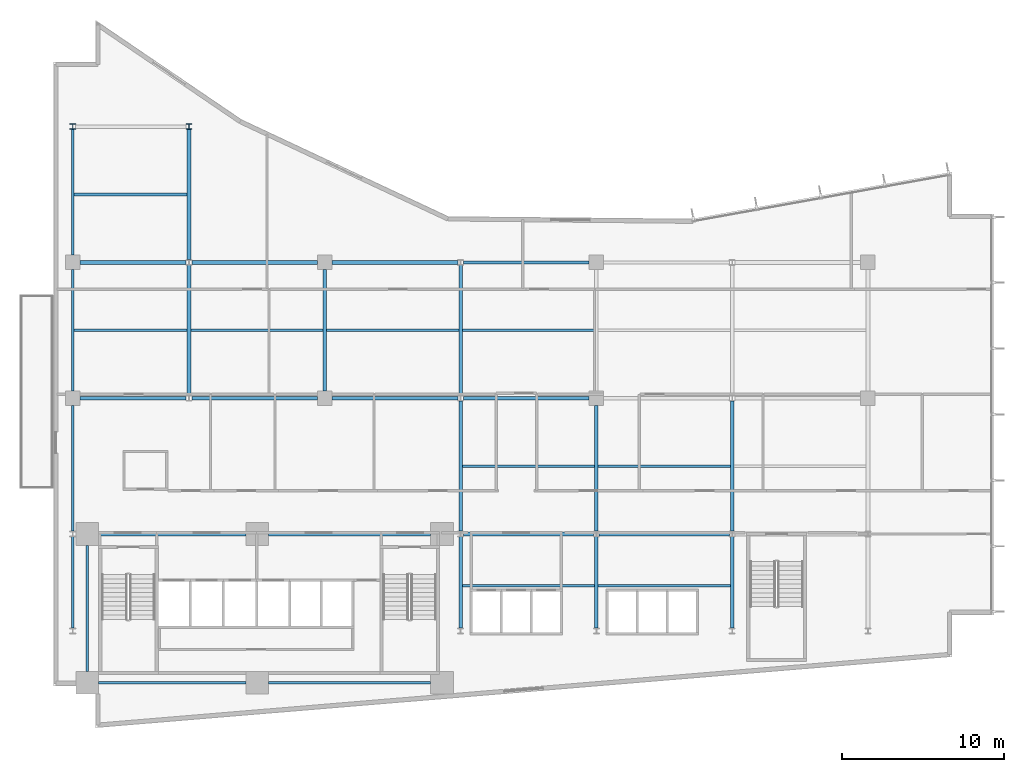
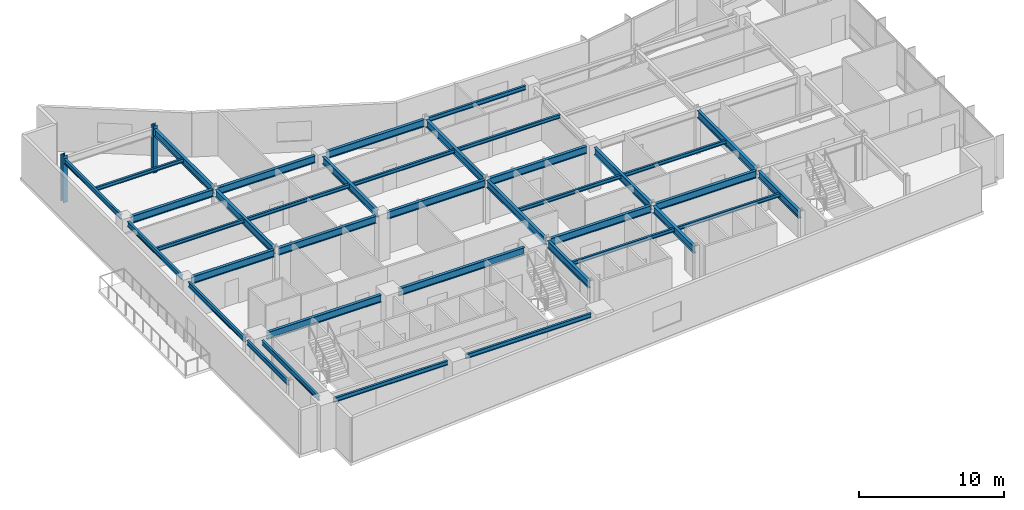
# One storey, part 3 of 20: 38 beams, 2 columns.
"""IFC4 building model written with IfcOpenShell, lengths in metres."""

from ifc_helpers import new_model, si_unit, direction, frame, origin, origin_2d, place, context, subcontext, project, spatial, i_section, extrude, material, material_profile, profile_set, type_object, element, save


model = new_model("IFC4")

# Units and contexts
model_context = context("Model", 3, precision=1e-05, world=origin(), true_north=direction((0.0, 1.0)))
body_context = subcontext(model_context, "Body", "Model", "MODEL_VIEW")
ifc_project = project(units=[si_unit("LENGTHUNIT", "METRE"), si_unit("AREAUNIT", "SQUARE_METRE"), si_unit("VOLUMEUNIT", "CUBIC_METRE"), si_unit("PLANEANGLEUNIT", "RADIAN"), si_unit("MASSUNIT", "GRAM", prefix="KILO")], contexts=[model_context])

# Site, building, storey
site_placement = place(None, origin())
site = spatial("IfcSite", under=ifc_project, at=site_placement, CompositionType="ELEMENT")
building_placement = place(site_placement, origin())
building = spatial("IfcBuilding", under=site, at=building_placement, Name="Varnakote Quay Hospital", CompositionType="ELEMENT")
storey_placement = place(building_placement, frame((0.0, 0.0, 46.199951171875)))
storey = spatial("IfcBuildingStorey", under=building, at=storey_placement, Name="L11", CompositionType="ELEMENT", Elevation=46.199951171875)

# Columns
ifc_material_1 = material(Name="Structural steel AS/NZS 3678 Grade 350 (fy 340 MPa)", Category="steel")
ifc_material_profile_1 = material_profile(ifc_material_1, i_section(OverallWidth=0.35009765625, OverallDepth=0.340087890625, WebThickness=0.01611328125, FlangeThickness=0.028076171875, at=origin_2d()), Name="350WC197")
ifc_profile_set_1 = profile_set([ifc_material_profile_1], Name="Structural steel AS/NZS 3678 Grade 350 (fy 340 MPa)")
column_type = type_object("IfcColumnType", Name="COL-STL-350WC197", PredefinedType="COLUMN", material=ifc_profile_set_1)
for number, where, z_axis, x_axis, name in (
    (1, (1.199951171875, 37.199951171875, 0.0), (0.0, 0.0, 1.0), (1.0, 0.0, 0.0), "L11 Structural Column C-1-37"),
    (2, (8.39990234375, 37.199951171875, 0.0), (0.0, 0.0, 1.0), (1.0, 0.0, 0.0), "L11 Structural Column C-8-37"),
):
    element("IfcColumn", number, at=place(storey_placement, frame(where, z_axis=z_axis, x_axis=x_axis)), inside=storey, type_object=column_type, Name=name, PredefinedType="COLUMN", context=body_context, shape_type="SweptSolid", body=[
        extrude(i_section(OverallWidth=0.35009765625, OverallDepth=0.340087890625, WebThickness=0.01611328125, FlangeThickness=0.028076171875, at=origin_2d()), origin(), (0.0, 0.0, 1.0), 3.949951171875),
    ])

# Beams
ifc_material_2 = material(Name="Structural steel AS/NZS 3679.1 Grade 350 L0 (fy 340 MPa)", Category="steel")
ifc_material_profile_2 = material_profile(ifc_material_2, i_section(OverallWidth=0.22900390625, OverallDepth=0.612060546875, WebThickness=0.011962890625, FlangeThickness=0.01953125, FilletRadius=0.013916015625, at=origin_2d()), Name="610UB125")
ifc_profile_set_2 = profile_set([ifc_material_profile_2], Name="Structural steel AS/NZS 3679.1 Grade 350 L0 (fy 340 MPa)")
beam_type_1 = type_object("IfcBeamType", Name="BM-STL-610UB125", PredefinedType="BEAM", material=ifc_profile_set_2)
beam_1_placement = place(storey_placement, frame((2.800048828125, 12.0, 3.404052734375), z_axis=(1.0, 0.0, 0.0), x_axis=(0.0, 1.0, 0.0)))
element("IfcBeam", 3, at=beam_1_placement, inside=storey, type_object=beam_type_1, Name="L11 Primary Floor Beam", PredefinedType="BEAM", context=body_context, shape_type="SweptSolid", body=[
    extrude(i_section(OverallWidth=0.22900390625, OverallDepth=0.612060546875, WebThickness=0.011962890625, FlangeThickness=0.01953125, FilletRadius=0.013916015625, at=origin_2d()), origin(), (0.0, 0.0, 1.0), 9.119873046875),
])
beam_2_placement = place(storey_placement, frame((13.320068359375, 12.0, 3.404052734375), z_axis=(1.0, 0.0, 0.0), x_axis=(0.0, 1.0, 0.0)))
element("IfcBeam", 4, at=beam_2_placement, inside=storey, type_object=beam_type_1, Name="L11 Primary Floor Beam", PredefinedType="BEAM", context=body_context, shape_type="SweptSolid", body=[
    extrude(i_section(OverallWidth=0.22900390625, OverallDepth=0.612060546875, WebThickness=0.011962890625, FlangeThickness=0.01953125, FilletRadius=0.013916015625, at=origin_2d()), origin(), (0.0, 0.0, 1.0), 10.030029296875),
])
for number, where, z_axis, x_axis, name in (
    (5, (25.375, 12.0, 3.404052734375), (1.0, 0.0, 0.0), (0.0, 1.0, 0.0), "L11 Primary Floor Beam"),
    (6, (33.77490234375, 12.0, 3.404052734375), (1.0, 0.0, 0.0), (0.0, 1.0, 0.0), "L11 Primary Floor Beam"),
):
    element("IfcBeam", number, at=place(storey_placement, frame(where, z_axis=z_axis, x_axis=x_axis)), inside=storey, type_object=beam_type_1, Name=name, PredefinedType="BEAM", context=body_context, shape_type="SweptSolid", body=[
        extrude(i_section(OverallWidth=0.22900390625, OverallDepth=0.612060546875, WebThickness=0.011962890625, FlangeThickness=0.01953125, FilletRadius=0.013916015625, at=origin_2d()), origin(), (0.0, 0.0, 1.0), 8.050048828125),
    ])
beam_3_placement = place(storey_placement, frame((1.64990234375, 20.39990234375, 3.404052734375), z_axis=(1.0, 0.0, 0.0), x_axis=(0.0, 1.0, 0.0)))
element("IfcBeam", 7, at=beam_3_placement, inside=storey, type_object=beam_type_1, Name="L11 Primary Floor Beam", PredefinedType="BEAM", context=body_context, shape_type="SweptSolid", body=[
    extrude(i_section(OverallWidth=0.22900390625, OverallDepth=0.612060546875, WebThickness=0.011962890625, FlangeThickness=0.01953125, FilletRadius=0.013916015625, at=origin_2d()), origin(), (0.0, 0.0, 1.0), 6.5751953125),
])
beam_4_placement = place(storey_placement, frame((8.574951171875, 20.39990234375, 3.404052734375), z_axis=(1.0, 0.0, 0.0), x_axis=(0.0, 1.0, 0.0)))
element("IfcBeam", 8, at=beam_4_placement, inside=storey, type_object=beam_type_1, Name="L11 Primary Floor Beam", PredefinedType="BEAM", context=body_context, shape_type="SweptSolid", body=[
    extrude(i_section(OverallWidth=0.22900390625, OverallDepth=0.612060546875, WebThickness=0.011962890625, FlangeThickness=0.01953125, FilletRadius=0.013916015625, at=origin_2d()), origin(), (0.0, 0.0, 1.0), 7.775146484375),
])
for number, where, z_axis, x_axis, name in (
    (9, (17.25, 20.39990234375, 3.404052734375), (1.0, 0.0, 0.0), (0.0, 1.0, 0.0), "L11 Primary Floor Beam"),
    (10, (25.375, 20.39990234375, 3.404052734375), (1.0, 0.0, 0.0), (0.0, 1.0, 0.0), "L11 Primary Floor Beam"),
):
    element("IfcBeam", number, at=place(storey_placement, frame(where, z_axis=z_axis, x_axis=x_axis)), inside=storey, type_object=beam_type_1, Name=name, PredefinedType="BEAM", context=body_context, shape_type="SweptSolid", body=[
        extrude(i_section(OverallWidth=0.22900390625, OverallDepth=0.612060546875, WebThickness=0.011962890625, FlangeThickness=0.01953125, FilletRadius=0.013916015625, at=origin_2d()), origin(), (0.0, 0.0, 1.0), 7.77490234375),
    ])
beam_5_placement = place(storey_placement, frame((1.64990234375, 28.800048828125, 3.404052734375), z_axis=(1.0, 0.0, 0.0), x_axis=(0.0, 1.0, 0.0)))
element("IfcBeam", 11, at=beam_5_placement, inside=storey, type_object=beam_type_1, Name="L11 Primary Floor Beam", PredefinedType="BEAM", context=body_context, shape_type="SweptSolid", body=[
    extrude(i_section(OverallWidth=0.22900390625, OverallDepth=0.612060546875, WebThickness=0.011962890625, FlangeThickness=0.01953125, FilletRadius=0.013916015625, at=origin_2d()), origin(), (0.0, 0.0, 1.0), 6.5751953125),
])
beam_6_placement = place(storey_placement, frame((8.574951171875, 28.800048828125, 3.404052734375), z_axis=(1.0, 0.0, 0.0), x_axis=(0.0, 1.0, 0.0)))
element("IfcBeam", 12, at=beam_6_placement, inside=storey, type_object=beam_type_1, Name="L11 Primary Floor Beam", PredefinedType="BEAM", context=body_context, shape_type="SweptSolid", body=[
    extrude(i_section(OverallWidth=0.22900390625, OverallDepth=0.612060546875, WebThickness=0.011962890625, FlangeThickness=0.01953125, FilletRadius=0.013916015625, at=origin_2d()), origin(), (0.0, 0.0, 1.0), 7.775146484375),
])
beam_7_placement = place(storey_placement, frame((17.25, 28.800048828125, 3.404052734375), z_axis=(1.0, 0.0, 0.0), x_axis=(0.0, 1.0, 0.0)))
element("IfcBeam", 13, at=beam_7_placement, inside=storey, type_object=beam_type_1, Name="L11 Primary Floor Beam", PredefinedType="BEAM", context=body_context, shape_type="SweptSolid", body=[
    extrude(i_section(OverallWidth=0.22900390625, OverallDepth=0.612060546875, WebThickness=0.011962890625, FlangeThickness=0.01953125, FilletRadius=0.013916015625, at=origin_2d()), origin(), (0.0, 0.0, 1.0), 7.77490234375),
])
beam_8_placement = place(storey_placement, frame((8.39990234375, 20.570068359375, 3.404052734375), z_axis=(0.0, 1.0, 0.0), x_axis=(-1.0, 0.0, 0.0)))
element("IfcBeam", 14, at=beam_8_placement, inside=storey, type_object=beam_type_1, Name="L11 Primary Tie Beam", PredefinedType="BEAM", context=body_context, shape_type="SweptSolid", body=[
    extrude(i_section(OverallWidth=0.22900390625, OverallDepth=0.612060546875, WebThickness=0.011962890625, FlangeThickness=0.01953125, FilletRadius=0.013916015625, at=origin_2d()), origin(), (0.0, 0.0, 1.0), 8.059814453125),
])
beam_9_placement = place(storey_placement, frame((8.39990234375, 28.969970703125, 3.404052734375), z_axis=(0.0, 1.0, 0.0), x_axis=(-1.0, 0.0, 0.0)))
element("IfcBeam", 15, at=beam_9_placement, inside=storey, type_object=beam_type_1, Name="L11 Primary Tie Beam", PredefinedType="BEAM", context=body_context, shape_type="SweptSolid", body=[
    extrude(i_section(OverallWidth=0.22900390625, OverallDepth=0.612060546875, WebThickness=0.011962890625, FlangeThickness=0.01953125, FilletRadius=0.013916015625, at=origin_2d()), origin(), (0.0, 0.0, 1.0), 8.06005859375),
])
beam_10_placement = place(storey_placement, frame((16.800048828125, 20.85009765625, 3.404052734375), z_axis=(0.0, 1.0, 0.0), x_axis=(-1.0, 0.0, 0.0)))
element("IfcBeam", 16, at=beam_10_placement, inside=storey, type_object=beam_type_1, Name="L11 Primary Tie Beam", PredefinedType="BEAM", context=body_context, shape_type="SweptSolid", body=[
    extrude(i_section(OverallWidth=0.22900390625, OverallDepth=0.612060546875, WebThickness=0.011962890625, FlangeThickness=0.01953125, FilletRadius=0.013916015625, at=origin_2d()), origin(), (0.0, 0.0, 1.0), 7.5),
])
beam_11_placement = place(storey_placement, frame((25.199951171875, 6.169921875, 3.404052734375), z_axis=(0.0, 1.0, 0.0), x_axis=(-1.0, 0.0, 0.0)))
element("IfcBeam", 17, at=beam_11_placement, inside=storey, type_object=beam_type_1, Name="L11 Primary Tie Beam", PredefinedType="BEAM", context=body_context, shape_type="SweptSolid", body=[
    extrude(i_section(OverallWidth=0.22900390625, OverallDepth=0.612060546875, WebThickness=0.011962890625, FlangeThickness=0.01953125, FilletRadius=0.013916015625, at=origin_2d()), origin(), (0.0, 0.0, 1.0), 5.66015625),
])
beam_12_placement = place(storey_placement, frame((25.199951171875, 12.169921875, 3.404052734375), z_axis=(0.0, 1.0, 0.0), x_axis=(-1.0, 0.0, 0.0)))
element("IfcBeam", 18, at=beam_12_placement, inside=storey, type_object=beam_type_1, Name="L11 Primary Tie Beam", PredefinedType="BEAM", context=body_context, shape_type="SweptSolid", body=[
    extrude(i_section(OverallWidth=0.22900390625, OverallDepth=0.612060546875, WebThickness=0.011962890625, FlangeThickness=0.01953125, FilletRadius=0.013916015625, at=origin_2d()), origin(), (0.0, 0.0, 1.0), 8.06005859375),
])
beam_13_placement = place(storey_placement, frame((25.199951171875, 20.570068359375, 3.404052734375), z_axis=(0.0, 1.0, 0.0), x_axis=(-1.0, 0.0, 0.0)))
element("IfcBeam", 19, at=beam_13_placement, inside=storey, type_object=beam_type_1, Name="L11 Primary Tie Beam", PredefinedType="BEAM", context=body_context, shape_type="SweptSolid", body=[
    extrude(i_section(OverallWidth=0.22900390625, OverallDepth=0.612060546875, WebThickness=0.011962890625, FlangeThickness=0.01953125, FilletRadius=0.013916015625, at=origin_2d()), origin(), (0.0, 0.0, 1.0), 8.059814453125),
])
beam_14_placement = place(storey_placement, frame((33.60009765625, 6.169921875, 3.404052734375), z_axis=(0.0, 1.0, 0.0), x_axis=(-1.0, 0.0, 0.0)))
element("IfcBeam", 20, at=beam_14_placement, inside=storey, type_object=beam_type_1, Name="L11 Primary Tie Beam", PredefinedType="BEAM", context=body_context, shape_type="SweptSolid", body=[
    extrude(i_section(OverallWidth=0.22900390625, OverallDepth=0.612060546875, WebThickness=0.011962890625, FlangeThickness=0.01953125, FilletRadius=0.013916015625, at=origin_2d()), origin(), (0.0, 0.0, 1.0), 5.66015625),
])
beam_15_placement = place(storey_placement, frame((33.60009765625, 12.169921875, 3.404052734375), z_axis=(0.0, 1.0, 0.0), x_axis=(-1.0, 0.0, 0.0)))
element("IfcBeam", 21, at=beam_15_placement, inside=storey, type_object=beam_type_1, Name="L11 Primary Tie Beam", PredefinedType="BEAM", context=body_context, shape_type="SweptSolid", body=[
    extrude(i_section(OverallWidth=0.22900390625, OverallDepth=0.612060546875, WebThickness=0.011962890625, FlangeThickness=0.01953125, FilletRadius=0.013916015625, at=origin_2d()), origin(), (0.0, 0.0, 1.0), 7.780029296875),
])
beam_16_placement = place(storey_placement, frame((42.0, 6.169921875, 3.404052734375), z_axis=(0.0, 1.0, 0.0), x_axis=(-1.0, 0.0, 0.0)))
element("IfcBeam", 22, at=beam_16_placement, inside=storey, type_object=beam_type_1, Name="L11 Primary Tie Beam", PredefinedType="BEAM", context=body_context, shape_type="SweptSolid", body=[
    extrude(i_section(OverallWidth=0.22900390625, OverallDepth=0.612060546875, WebThickness=0.011962890625, FlangeThickness=0.01953125, FilletRadius=0.013916015625, at=origin_2d()), origin(), (0.0, 0.0, 1.0), 5.66015625),
])
beam_17_placement = place(storey_placement, frame((42.0, 12.169921875, 3.404052734375), z_axis=(0.0, 1.0, 0.0), x_axis=(-1.0, 0.0, 0.0)))
element("IfcBeam", 23, at=beam_17_placement, inside=storey, type_object=beam_type_1, Name="L11 Primary Tie Beam", PredefinedType="BEAM", context=body_context, shape_type="SweptSolid", body=[
    extrude(i_section(OverallWidth=0.22900390625, OverallDepth=0.612060546875, WebThickness=0.011962890625, FlangeThickness=0.01953125, FilletRadius=0.013916015625, at=origin_2d()), origin(), (0.0, 0.0, 1.0), 8.06005859375),
])
ifc_material_3 = material(Name="Structural steel AS/NZS 3679.1 Grade 350 L0 (fy 340 MPa)", Category="steel")
ifc_material_profile_3 = material_profile(ifc_material_3, i_section(OverallWidth=0.166015625, OverallDepth=0.306884765625, WebThickness=0.006591796875, FlangeThickness=0.01171875, FilletRadius=0.011474609375, at=origin_2d()), Name="310UB46.2")
ifc_profile_set_3 = profile_set([ifc_material_profile_3], Name="Structural steel AS/NZS 3679.1 Grade 350 L0 (fy 340 MPa)")
beam_type_2 = type_object("IfcBeamType", Name="JST-STL-310UB46-2", PredefinedType="JOIST", material=ifc_profile_set_3)
beam_18_placement = place(storey_placement, frame((25.314453125, 8.800048828125, 3.556640625), z_axis=(1.0, 0.0, 0.0), x_axis=(0.0, 1.0, 0.0)))
element("IfcBeam", 24, at=beam_18_placement, inside=storey, type_object=beam_type_2, Name="L11 Composite Floor Joist", PredefinedType="JOIST", context=body_context, shape_type="SweptSolid", body=[
    extrude(i_section(OverallWidth=0.166015625, OverallDepth=0.306884765625, WebThickness=0.006591796875, FlangeThickness=0.01171875, FilletRadius=0.011474609375, at=origin_2d()), origin(), (0.0, 0.0, 1.0), 8.171142578125),
])
beam_19_placement = place(storey_placement, frame((33.714599609375, 8.800048828125, 3.556640625), z_axis=(1.0, 0.0, 0.0), x_axis=(0.0, 1.0, 0.0)))
element("IfcBeam", 25, at=beam_19_placement, inside=storey, type_object=beam_type_2, Name="L11 Composite Floor Joist", PredefinedType="JOIST", context=body_context, shape_type="SweptSolid", body=[
    extrude(i_section(OverallWidth=0.166015625, OverallDepth=0.306884765625, WebThickness=0.006591796875, FlangeThickness=0.01171875, FilletRadius=0.011474609375, at=origin_2d()), origin(), (0.0, 0.0, 1.0), 8.1708984375),
])
beam_20_placement = place(storey_placement, frame((25.314453125, 16.199951171875, 3.556640625), z_axis=(1.0, 0.0, 0.0), x_axis=(0.0, 1.0, 0.0)))
element("IfcBeam", 26, at=beam_20_placement, inside=storey, type_object=beam_type_2, Name="L11 Composite Floor Joist", PredefinedType="JOIST", context=body_context, shape_type="SweptSolid", body=[
    extrude(i_section(OverallWidth=0.166015625, OverallDepth=0.306884765625, WebThickness=0.006591796875, FlangeThickness=0.01171875, FilletRadius=0.011474609375, at=origin_2d()), origin(), (0.0, 0.0, 1.0), 8.171142578125),
])
beam_21_placement = place(storey_placement, frame((33.714599609375, 16.199951171875, 3.556640625), z_axis=(1.0, 0.0, 0.0), x_axis=(0.0, 1.0, 0.0)))
element("IfcBeam", 27, at=beam_21_placement, inside=storey, type_object=beam_type_2, Name="L11 Composite Floor Joist", PredefinedType="JOIST", context=body_context, shape_type="SweptSolid", body=[
    extrude(i_section(OverallWidth=0.166015625, OverallDepth=0.306884765625, WebThickness=0.006591796875, FlangeThickness=0.01171875, FilletRadius=0.011474609375, at=origin_2d()), origin(), (0.0, 0.0, 1.0), 8.1708984375),
])
beam_22_placement = place(storey_placement, frame((1.2890625, 24.60009765625, 3.556640625), z_axis=(1.0, 0.0, 0.0), x_axis=(0.0, 1.0, 0.0)))
element("IfcBeam", 28, at=beam_22_placement, inside=storey, type_object=beam_type_2, Name="L11 Composite Floor Joist", PredefinedType="JOIST", context=body_context, shape_type="SweptSolid", body=[
    extrude(i_section(OverallWidth=0.166015625, OverallDepth=0.306884765625, WebThickness=0.006591796875, FlangeThickness=0.01171875, FilletRadius=0.011474609375, at=origin_2d()), origin(), (0.0, 0.0, 1.0), 6.996337890625),
])
beam_23_placement = place(storey_placement, frame((8.514404296875, 24.60009765625, 3.556640625), z_axis=(1.0, 0.0, 0.0), x_axis=(0.0, 1.0, 0.0)))
element("IfcBeam", 29, at=beam_23_placement, inside=storey, type_object=beam_type_2, Name="L11 Composite Floor Joist", PredefinedType="JOIST", context=body_context, shape_type="SweptSolid", body=[
    extrude(i_section(OverallWidth=0.166015625, OverallDepth=0.306884765625, WebThickness=0.006591796875, FlangeThickness=0.01171875, FilletRadius=0.011474609375, at=origin_2d()), origin(), (0.0, 0.0, 1.0), 8.171142578125),
])
beam_24_placement = place(storey_placement, frame((16.91455078125, 24.60009765625, 3.556640625), z_axis=(1.0, 0.0, 0.0), x_axis=(0.0, 1.0, 0.0)))
element("IfcBeam", 30, at=beam_24_placement, inside=storey, type_object=beam_type_2, Name="L11 Composite Floor Joist", PredefinedType="JOIST", context=body_context, shape_type="SweptSolid", body=[
    extrude(i_section(OverallWidth=0.166015625, OverallDepth=0.306884765625, WebThickness=0.006591796875, FlangeThickness=0.01171875, FilletRadius=0.011474609375, at=origin_2d()), origin(), (0.0, 0.0, 1.0), 8.1708984375),
])
beam_25_placement = place(storey_placement, frame((25.314453125, 24.60009765625, 3.556640625), z_axis=(1.0, 0.0, 0.0), x_axis=(0.0, 1.0, 0.0)))
element("IfcBeam", 31, at=beam_25_placement, inside=storey, type_object=beam_type_2, Name="L11 Composite Floor Joist", PredefinedType="JOIST", context=body_context, shape_type="SweptSolid", body=[
    extrude(i_section(OverallWidth=0.166015625, OverallDepth=0.306884765625, WebThickness=0.006591796875, FlangeThickness=0.01171875, FilletRadius=0.011474609375, at=origin_2d()), origin(), (0.0, 0.0, 1.0), 8.171142578125),
])
beam_26_placement = place(storey_placement, frame((1.2890625, 33.0, 3.556640625), z_axis=(1.0, 0.0, 0.0), x_axis=(0.0, 1.0, 0.0)))
element("IfcBeam", 32, at=beam_26_placement, inside=storey, type_object=beam_type_2, Name="L11 Composite Floor Joist", PredefinedType="JOIST", context=body_context, shape_type="SweptSolid", body=[
    extrude(i_section(OverallWidth=0.166015625, OverallDepth=0.306884765625, WebThickness=0.006591796875, FlangeThickness=0.01171875, FilletRadius=0.011474609375, at=origin_2d()), origin(), (0.0, 0.0, 1.0), 6.996337890625),
])
ifc_material_4 = material(Name="Structural steel AS/NZS 3679.1 Grade 350 L0 (fy 340 MPa)", Category="steel")
ifc_material_profile_4 = material_profile(ifc_material_4, i_section(OverallWidth=0.172119140625, OverallDepth=0.35888671875, WebThickness=0.008056640625, FlangeThickness=0.012939453125, FilletRadius=0.011474609375, at=origin_2d()), Name="360UB56.7")
ifc_profile_set_4 = profile_set([ifc_material_profile_4], Name="Structural steel AS/NZS 3679.1 Grade 350 L0 (fy 340 MPa)")
beam_type_3 = type_object("IfcBeamType", Name="SPN-STL-360UB56-7", PredefinedType="SPANDREL", material=ifc_profile_set_4)
beam_27_placement = place(storey_placement, frame((2.800048828125, 2.800048828125, 3.530517578125), z_axis=(1.0, 0.0, 0.0), x_axis=(0.0, 1.0, 0.0)))
element("IfcBeam", 33, at=beam_27_placement, inside=storey, type_object=beam_type_3, Name="L11 Perimeter Spandrel Beam", PredefinedType="SPANDREL", context=body_context, shape_type="SweptSolid", body=[
    extrude(i_section(OverallWidth=0.172119140625, OverallDepth=0.35888671875, WebThickness=0.008056640625, FlangeThickness=0.012939453125, FilletRadius=0.011474609375, at=origin_2d()), origin(), (0.0, 0.0, 1.0), 9.119873046875),
])
beam_28_placement = place(storey_placement, frame((13.320068359375, 2.800048828125, 3.530517578125), z_axis=(1.0, 0.0, 0.0), x_axis=(0.0, 1.0, 0.0)))
element("IfcBeam", 34, at=beam_28_placement, inside=storey, type_object=beam_type_3, Name="L11 Perimeter Spandrel Beam", PredefinedType="SPANDREL", context=body_context, shape_type="SweptSolid", body=[
    extrude(i_section(OverallWidth=0.172119140625, OverallDepth=0.35888671875, WebThickness=0.008056640625, FlangeThickness=0.012939453125, FilletRadius=0.011474609375, at=origin_2d()), origin(), (0.0, 0.0, 1.0), 10.030029296875),
])
beam_29_placement = place(storey_placement, frame((25.375, 28.800048828125, 3.530517578125), z_axis=(1.0, 0.0, 0.0), x_axis=(0.0, 1.0, 0.0)))
element("IfcBeam", 35, at=beam_29_placement, inside=storey, type_object=beam_type_3, Name="L11 Perimeter Spandrel Beam", PredefinedType="SPANDREL", context=body_context, shape_type="SweptSolid", body=[
    extrude(i_section(OverallWidth=0.172119140625, OverallDepth=0.35888671875, WebThickness=0.008056640625, FlangeThickness=0.012939453125, FilletRadius=0.011474609375, at=origin_2d()), origin(), (0.0, 0.0, 1.0), 7.77490234375),
])
ifc_material_5 = material(Name="Structural steel AS/NZS 3679.1 Grade 350 L0 (fy 340 MPa)", Category="steel")
ifc_material_profile_5 = material_profile(ifc_material_5, i_section(OverallWidth=0.177978515625, OverallDepth=0.403076171875, WebThickness=0.007568359375, FlangeThickness=0.010986328125, FilletRadius=0.011474609375, at=origin_2d()), Name="410UB53.7")
ifc_profile_set_5 = profile_set([ifc_material_profile_5], Name="Structural steel AS/NZS 3679.1 Grade 350 L0 (fy 340 MPa)")
beam_type_4 = type_object("IfcBeamType", Name="SPN-STL-410UB53-7", PredefinedType="SPANDREL", material=ifc_profile_set_5)
beam_30_placement = place(storey_placement, frame((1.199951171875, 6.169921875, 3.508544921875), z_axis=(0.0, 1.0, 0.0), x_axis=(-1.0, 0.0, 0.0)))
element("IfcBeam", 36, at=beam_30_placement, inside=storey, type_object=beam_type_4, Name="L11 Perimeter Spandrel Beam", PredefinedType="SPANDREL", context=body_context, shape_type="SweptSolid", body=[
    extrude(i_section(OverallWidth=0.177978515625, OverallDepth=0.403076171875, WebThickness=0.007568359375, FlangeThickness=0.010986328125, FilletRadius=0.011474609375, at=origin_2d()), origin(), (0.0, 0.0, 1.0), 5.66015625),
])
beam_31_placement = place(storey_placement, frame((1.199951171875, 12.169921875, 3.508544921875), z_axis=(0.0, 1.0, 0.0), x_axis=(-1.0, 0.0, 0.0)))
element("IfcBeam", 37, at=beam_31_placement, inside=storey, type_object=beam_type_4, Name="L11 Perimeter Spandrel Beam", PredefinedType="SPANDREL", context=body_context, shape_type="SweptSolid", body=[
    extrude(i_section(OverallWidth=0.177978515625, OverallDepth=0.403076171875, WebThickness=0.007568359375, FlangeThickness=0.010986328125, FilletRadius=0.011474609375, at=origin_2d()), origin(), (0.0, 0.0, 1.0), 7.780029296875),
])
beam_32_placement = place(storey_placement, frame((1.199951171875, 20.85009765625, 3.508544921875), z_axis=(0.0, 1.0, 0.0), x_axis=(-1.0, 0.0, 0.0)))
element("IfcBeam", 38, at=beam_32_placement, inside=storey, type_object=beam_type_4, Name="L11 Perimeter Spandrel Beam", PredefinedType="SPANDREL", context=body_context, shape_type="SweptSolid", body=[
    extrude(i_section(OverallWidth=0.177978515625, OverallDepth=0.403076171875, WebThickness=0.007568359375, FlangeThickness=0.010986328125, FilletRadius=0.011474609375, at=origin_2d()), origin(), (0.0, 0.0, 1.0), 7.5),
])
beam_33_placement = place(storey_placement, frame((1.199951171875, 29.25, 3.508544921875), z_axis=(0.0, 1.0, 0.0), x_axis=(-1.0, 0.0, 0.0)))
element("IfcBeam", 39, at=beam_33_placement, inside=storey, type_object=beam_type_4, Name="L11 Perimeter Spandrel Beam", PredefinedType="SPANDREL", context=body_context, shape_type="SweptSolid", body=[
    extrude(i_section(OverallWidth=0.177978515625, OverallDepth=0.403076171875, WebThickness=0.007568359375, FlangeThickness=0.010986328125, FilletRadius=0.011474609375, at=origin_2d()), origin(), (0.0, 0.0, 1.0), 7.780029296875),
])
beam_34_placement = place(storey_placement, frame((2.10009765625, 3.5, 3.508544921875), z_axis=(0.0, 1.0, 0.0), x_axis=(-1.0, 0.0, 0.0)))
element("IfcBeam", 40, at=beam_34_placement, inside=storey, type_object=beam_type_4, Name="L11 Perimeter Spandrel Beam", PredefinedType="SPANDREL", context=body_context, shape_type="SweptSolid", body=[
    extrude(i_section(OverallWidth=0.177978515625, OverallDepth=0.403076171875, WebThickness=0.007568359375, FlangeThickness=0.010986328125, FilletRadius=0.011474609375, at=origin_2d()), origin(), (0.0, 0.0, 1.0), 7.800048828125),
])

save(model, "model.ifc")
